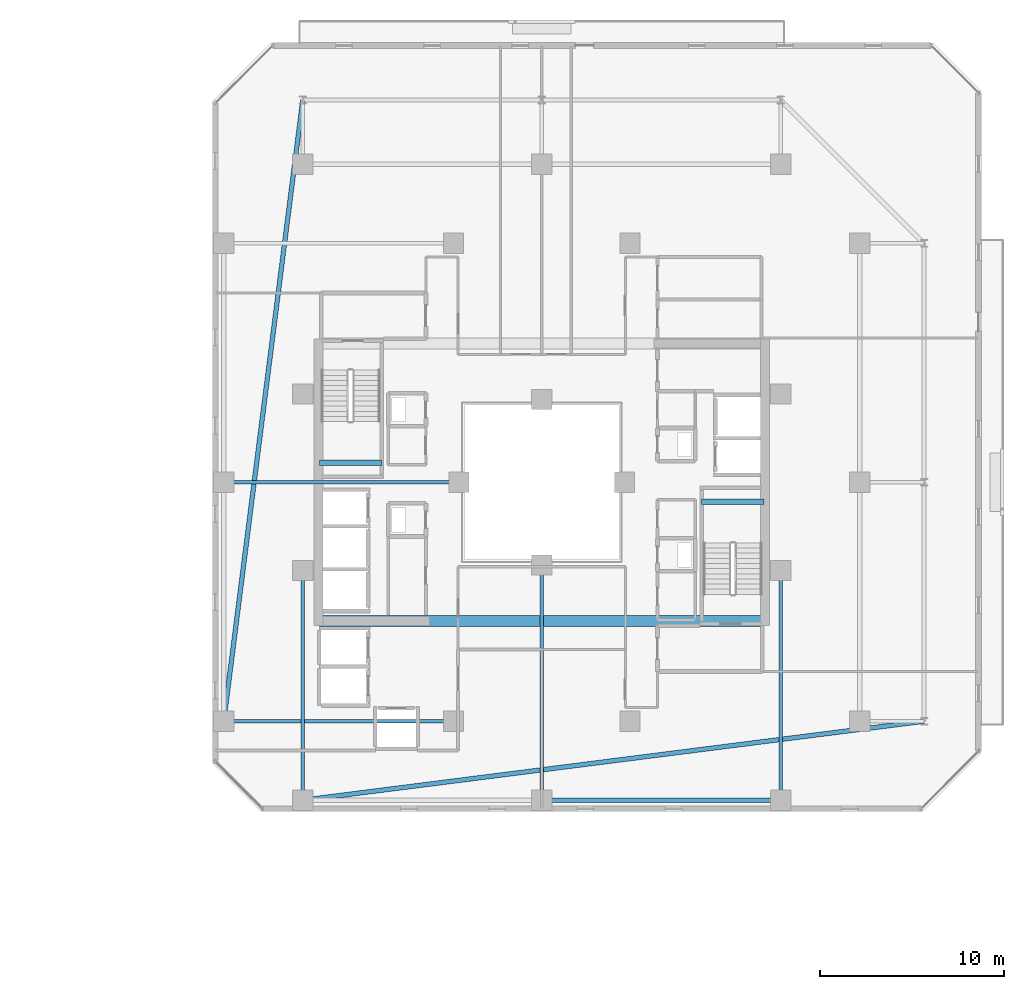
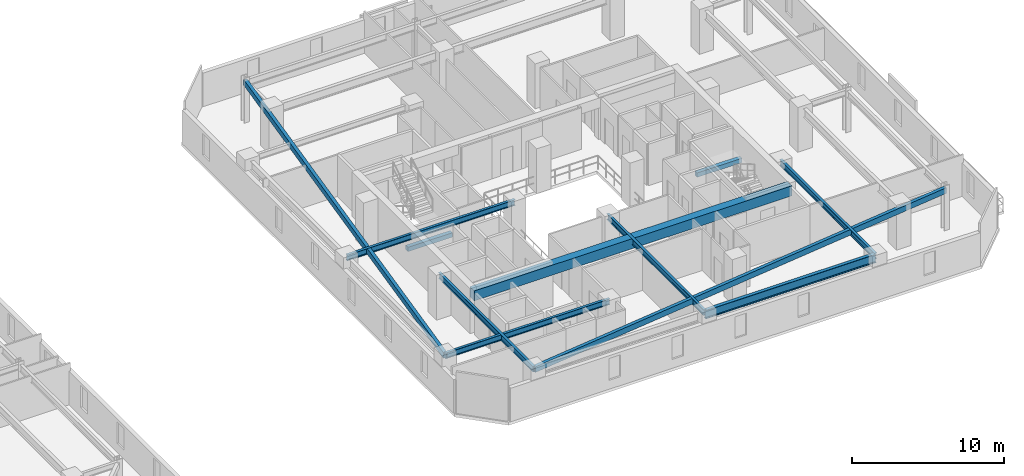
# One storey, part 13 of 33: 11 beams.
"""IFC4 building model written with IfcOpenShell, lengths in metres."""

from ifc_helpers import new_model, si_unit, direction, frame, origin, origin_2d, place, context, subcontext, project, spatial, rectangle, hollow_rectangle, i_section, extrude, material, material_profile, profile_set, type_object, element, save


model = new_model("IFC4")

# Units and contexts
model_context = context("Model", 3, precision=1e-05, world=origin(), true_north=direction((0.0, 1.0)))
body_context = subcontext(model_context, "Body", "Model", "MODEL_VIEW")
ifc_project = project(units=[si_unit("LENGTHUNIT", "METRE"), si_unit("AREAUNIT", "SQUARE_METRE"), si_unit("VOLUMEUNIT", "CUBIC_METRE"), si_unit("PLANEANGLEUNIT", "RADIAN"), si_unit("MASSUNIT", "GRAM", prefix="KILO")], contexts=[model_context])

# Site, building, storey
site_placement = place(None, origin())
site = spatial("IfcSite", under=ifc_project, at=site_placement, CompositionType="ELEMENT")
building_placement = place(site_placement, origin())
building = spatial("IfcBuilding", under=site, at=building_placement, Name="Thornwick Lancets Civic Towers", CompositionType="ELEMENT")
storey_placement = place(building_placement, frame((0.0, 0.0, 163.5)))
storey = spatial("IfcBuildingStorey", under=building, at=storey_placement, Name="L43", CompositionType="ELEMENT", Elevation=163.5)

# Beams
ifc_material_1 = material(Name="Concrete C60/75", Category="concrete")
ifc_material_profile_1 = material_profile(ifc_material_1, rectangle(XDim=0.60009765625, YDim=0.800048828125, at=origin_2d()), Name="RC 600x800")
ifc_profile_set_1 = profile_set([ifc_material_profile_1], Name="Concrete C60/75")
beam_type_1 = type_object("IfcBeamType", Name="BM_COUP_RC800", PredefinedType="BEAM", material=ifc_profile_set_1)
beam_1_placement = place(storey_placement, frame((76.39990234375, 19.449951171875, 2.9599609375), z_axis=(1.0, 0.0, 0.0), x_axis=(0.0, 1.0, 0.0)))
element("IfcBeam", 1, at=beam_1_placement, inside=storey, type_object=beam_type_1, Name="CB-L43-B2", PredefinedType="BEAM", context=body_context, shape_type="SweptSolid", body=[
    extrude(rectangle(XDim=0.60009765625, YDim=0.800048828125, at=origin_2d()), origin(), (0.0, 0.0, 1.0), 24.2001953125),
])
ifc_material_2 = material(Name="Steel S355JR", Category="steel")
ifc_material_profile_2 = material_profile(ifc_material_2, i_section(OverallWidth=0.255859375, OverallDepth=0.69287109375, WebThickness=0.014404296875, FlangeThickness=0.023681640625, FilletRadius=0.01513671875, at=origin_2d()), Name="UKB 686x254x170")
ifc_profile_set_2 = profile_set([ifc_material_profile_2], Name="Steel S355JR")
beam_type_2 = type_object("IfcBeamType", Name="BM_GIRD_686_170", PredefinedType="BEAM", material=ifc_profile_set_2)
beam_2_placement = place(storey_placement, frame((101.5, 9.699951171875, 3.013671875), z_axis=(-1.0, 0.0, 0.0), x_axis=(0.0, -1.0, 0.0)))
element("IfcBeam", 2, at=beam_2_placement, inside=storey, type_object=beam_type_2, Name="BM-SPINE-L43-B-9-10", PredefinedType="BEAM", context=body_context, shape_type="SweptSolid", body=[
    extrude(i_section(OverallWidth=0.255859375, OverallDepth=0.69287109375, WebThickness=0.014404296875, FlangeThickness=0.023681640625, FilletRadius=0.01513671875, at=origin_2d()), origin(), (0.0, 0.0, 1.0), 13.0),
])
ifc_material_profile_3 = material_profile(ifc_material_2, i_section(OverallWidth=0.19287109375, OverallDepth=0.46728515625, WebThickness=0.011474609375, FlangeThickness=0.01953125, FilletRadius=0.01025390625, at=origin_2d()), Name="UKB 457x191x98")
ifc_profile_set_3 = profile_set([ifc_material_profile_3], Name="Steel S355JR")
beam_type_3 = type_object("IfcBeamType", Name="BM_JOIST_457_98", PredefinedType="JOIST", material=ifc_profile_set_3)
beam_3_placement = place(storey_placement, frame((83.699951171875, 14.0, 3.12646484375), z_axis=(-1.0, 0.0, 0.0), x_axis=(0.0, -1.0, 0.0)))
element("IfcBeam", 3, at=beam_3_placement, inside=storey, type_object=beam_type_3, Name="BM-RADIN-L43-B07", PredefinedType="JOIST", context=body_context, shape_type="SweptSolid", body=[
    extrude(i_section(OverallWidth=0.19287109375, OverallDepth=0.46728515625, WebThickness=0.011474609375, FlangeThickness=0.01953125, FilletRadius=0.01025390625, at=origin_2d()), origin(), (0.0, 0.0, 1.0), 12.5),
])
beam_4_placement = place(storey_placement, frame((84.0, 27.0, 3.12646484375), z_axis=(-1.0, 0.0, 0.0), x_axis=(0.0, -1.0, 0.0)))
element("IfcBeam", 4, at=beam_4_placement, inside=storey, type_object=beam_type_3, Name="BM-RADIN-L43-B08", PredefinedType="JOIST", context=body_context, shape_type="SweptSolid", body=[
    extrude(i_section(OverallWidth=0.19287109375, OverallDepth=0.46728515625, WebThickness=0.011474609375, FlangeThickness=0.01953125, FilletRadius=0.01025390625, at=origin_2d()), origin(), (0.0, 0.0, 1.0), 12.800048828125),
])
beam_5_placement = place(storey_placement, frame((101.5, 22.199951171875, 3.12646484375), z_axis=(0.0, -1.0, 0.0), x_axis=(1.0, 0.0, 0.0)))
element("IfcBeam", 5, at=beam_5_placement, inside=storey, type_object=beam_type_3, Name="BM-RADIN-L43-B10", PredefinedType="JOIST", context=body_context, shape_type="SweptSolid", body=[
    extrude(i_section(OverallWidth=0.19287109375, OverallDepth=0.46728515625, WebThickness=0.011474609375, FlangeThickness=0.01953125, FilletRadius=0.01025390625, at=origin_2d()), origin(), (0.0, 0.0, 1.0), 12.5),
])
beam_6_placement = place(storey_placement, frame((88.5, 22.5, 3.12646484375), z_axis=(0.0, -1.0, 0.0), x_axis=(1.0, 0.0, 0.0)))
element("IfcBeam", 6, at=beam_6_placement, inside=storey, type_object=beam_type_3, Name="BM-RADIN-L43-B11", PredefinedType="JOIST", context=body_context, shape_type="SweptSolid", body=[
    extrude(i_section(OverallWidth=0.19287109375, OverallDepth=0.46728515625, WebThickness=0.011474609375, FlangeThickness=0.01953125, FilletRadius=0.01025390625, at=origin_2d()), origin(), (0.0, 0.0, 1.0), 12.800048828125),
])
beam_7_placement = place(storey_placement, frame((75.5, 22.199951171875, 3.12646484375), z_axis=(0.0, -1.0, 0.0), x_axis=(1.0, 0.0, 0.0)))
element("IfcBeam", 7, at=beam_7_placement, inside=storey, type_object=beam_type_3, Name="BM-RADIN-L43-B12", PredefinedType="JOIST", context=body_context, shape_type="SweptSolid", body=[
    extrude(i_section(OverallWidth=0.19287109375, OverallDepth=0.46728515625, WebThickness=0.011474609375, FlangeThickness=0.01953125, FilletRadius=0.01025390625, at=origin_2d()), origin(), (0.0, 0.0, 1.0), 12.5),
])
ifc_material_profile_4 = material_profile(ifc_material_2, hollow_rectangle(XDim=0.25, YDim=0.449951171875, WallThickness=0.01611328125, at=origin_2d()), Name="RHS 450x250x16")
ifc_profile_set_4 = profile_set([ifc_material_profile_4], Name="Steel S355JR")
beam_type_4 = type_object("IfcBeamType", Name="BM_RING_RHS450", PredefinedType="BEAM", material=ifc_profile_set_4)
for number, where, z_axis, x_axis, name in (
    (8, (75.5, 47.800048828125, 3.135009765625), (-0.126202998662, -0.992004437051, 0.0), (0.992004437051, -0.126202998662, 0.0), "BM-CHAMF-L43-B-C1"),
    (9, (75.5, 9.699951171875, 3.135009765625), (0.992004437051, 0.126202998662, 0.0), (-0.126202998662, 0.992004437051, 0.0), "BM-CHAMF-L43-B-C3"),
):
    element("IfcBeam", number, at=place(storey_placement, frame(where, z_axis=z_axis, x_axis=x_axis)), inside=storey, type_object=beam_type_4, Name=name, PredefinedType="BEAM", context=body_context, shape_type="SweptSolid", body=[
        extrude(hollow_rectangle(XDim=0.25, YDim=0.449951171875, WallThickness=0.01611328125, at=origin_2d()), origin(), (0.0, 0.0, 1.0), 34.072509765625),
    ])
ifc_material_3 = material(Name="Concrete C40/50", Category="concrete")
ifc_material_profile_5 = material_profile(ifc_material_3, rectangle(XDim=0.300048828125, YDim=0.35009765625, at=origin_2d()), Name="RC 300x350")
ifc_profile_set_5 = profile_set([ifc_material_profile_5], Name="Concrete C40/50")
beam_type_5 = type_object("IfcBeamType", Name="BM_STAIR_LDG", PredefinedType="BEAM", material=ifc_profile_set_5)
for number, where, z_axis, x_axis, name in (
    (10, (100.60009765625, 25.93505859375, 1.3779296875), (-1.0, 0.0, 0.0), (0.0, -1.0, 0.0), "L43 ST-B1 Landing Support Beam 1"),
    (11, (76.39990234375, 28.06494140625, 1.3779296875), (1.0, 0.0, 0.0), (0.0, 1.0, 0.0), "L43 ST-B2 Landing Support Beam 1"),
):
    element("IfcBeam", number, at=place(storey_placement, frame(where, z_axis=z_axis, x_axis=x_axis)), inside=storey, type_object=beam_type_5, Name=name, PredefinedType="BEAM", context=body_context, shape_type="SweptSolid", body=[
        extrude(rectangle(XDim=0.300048828125, YDim=0.35009765625, at=origin_2d()), origin(), (0.0, 0.0, 1.0), 3.400146484375),
    ])

save(model, "model.ifc")
